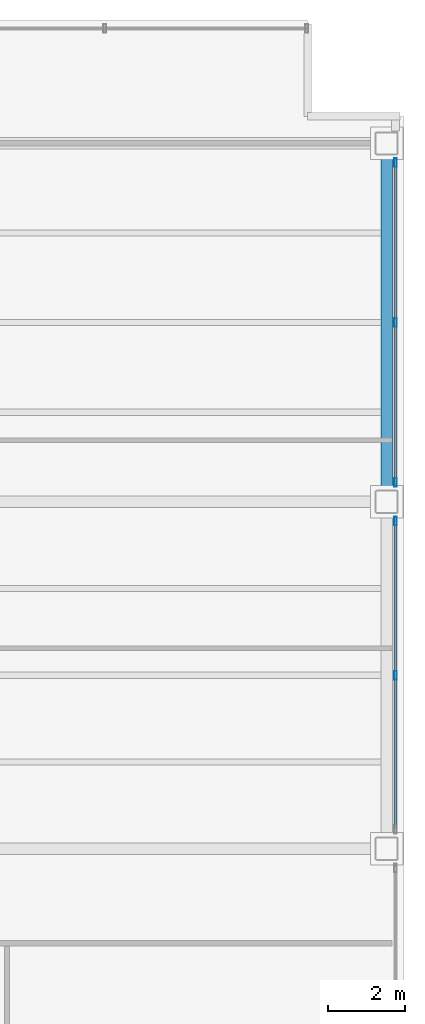
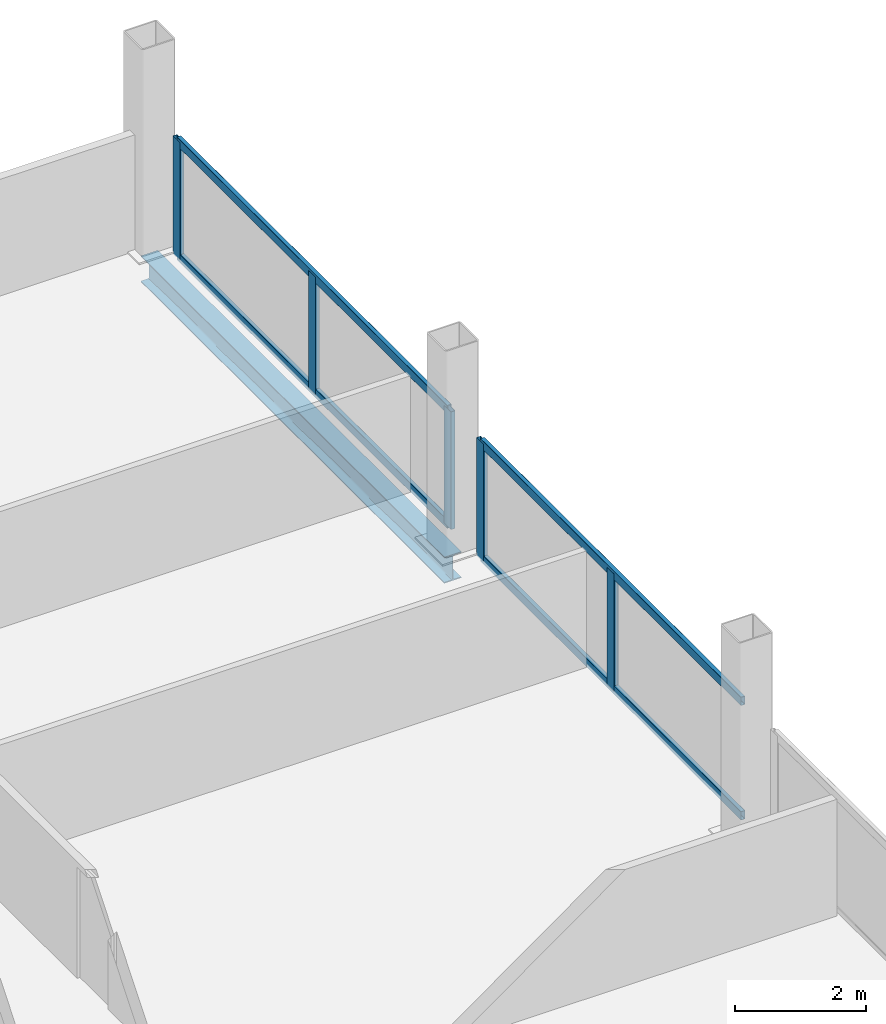
# One storey, part 13 of 21: 9 members, 1 beam, 2 elements without a shape of their own.
"""IFC4 building model written with IfcOpenShell, lengths in metres."""

from ifc_helpers import new_model, si_unit, direction, frame, origin, origin_2d, place, context, subcontext, project, spatial, hollow_rectangle, i_section, extrude, material, material_profile, profile_set, type_object, element, aggregate, save


model = new_model("IFC4")

# Units and contexts
model_context = context("Model", 3, precision=1e-05, world=origin(), true_north=direction((0.0, 1.0)))
body_context = subcontext(model_context, "Body", "Model", "MODEL_VIEW")
ifc_project = project(units=[si_unit("LENGTHUNIT", "METRE"), si_unit("AREAUNIT", "SQUARE_METRE"), si_unit("VOLUMEUNIT", "CUBIC_METRE"), si_unit("PLANEANGLEUNIT", "RADIAN"), si_unit("MASSUNIT", "GRAM", prefix="KILO")], contexts=[model_context])

# Site, building, storey
site_placement = place(None, origin())
site = spatial("IfcSite", under=ifc_project, at=site_placement, CompositionType="ELEMENT")
building_placement = place(site_placement, origin())
building = spatial("IfcBuilding", under=site, at=building_placement, Name="Noeulbin Bourse Tower", CompositionType="ELEMENT")
storey_placement = place(building_placement, frame((0.0, 0.0, 96.699951171875)))
storey = spatial("IfcBuildingStorey", under=building, at=storey_placement, Name="L24", CompositionType="ELEMENT", Elevation=96.699951171875)

# Beam
ifc_material_1 = material(Name="Steel S355", Category="steel")
ifc_material_profile_1 = material_profile(ifc_material_1, i_section(OverallWidth=0.300048828125, OverallDepth=0.488037109375, WebThickness=0.010986328125, FlangeThickness=0.01806640625, FilletRadius=0.02197265625, at=origin_2d()), Name="H-488x300x11x18", Category="LoadBearing")
ifc_profile_set_1 = profile_set([ifc_material_profile_1], Name="Steel S355")
beam_type = type_object("IfcBeamType", Name="BM-SPN-488", PredefinedType="SPANDREL", material=ifc_profile_set_1)
beam_placement = place(storey_placement, frame((57.050048828125, 29.0, -0.424072265625), z_axis=(0.0, 1.0, 0.0), x_axis=(-1.0, 0.0, 0.0)))
element("IfcBeam", 1, at=beam_placement, inside=storey, type_object=beam_type, Name="East Spandrel L24-2", PredefinedType="SPANDREL", context=body_context, shape_type="SweptSolid", body=[
    extrude(i_section(OverallWidth=0.300048828125, OverallDepth=0.488037109375, WebThickness=0.010986328125, FlangeThickness=0.01806640625, FilletRadius=0.02197265625, at=origin_2d()), origin(), (0.0, 0.0, 1.0), 9.300048828125),
])

# Curtain wall, members
ifc_material_2 = material(Name="Dark Solar-Control Double Glazing", Category="glass")
curtain_wall_type = type_object("IfcCurtainWallType", Name="CW-SYS-2", PredefinedType="NOTDEFINED", material=ifc_material_2)
curtain_wall_1_placement = place(storey_placement, origin())
curtain_wall_1 = element("IfcCurtainWall", 2, at=curtain_wall_1_placement, inside=storey, type_object=curtain_wall_type, Name="Unitised Curtain Wall CW-L24-E-S2", PredefinedType="NOTDEFINED")
ifc_material_3 = material(Name="Anodised Aluminium 6063-T6", Category="aluminium")
ifc_material_profile_2 = material_profile(ifc_material_3, hollow_rectangle(XDim=0.074951171875, YDim=0.219970703125, WallThickness=0.0048828125, InnerFilletRadius=0.00244140625, OuterFilletRadius=0.0048828125, at=origin_2d()), Name="ALU-MULL-75x220x5", Category="LoadBearing")
ifc_profile_set_2 = profile_set([ifc_material_profile_2], Name="Anodised Aluminium 6063-T6")
member_type_1 = type_object("IfcMemberType", Name="CW-SYS-2-MUL", PredefinedType="MULLION", material=ifc_profile_set_2)
member_1_placement = place(storey_placement, frame((57.280029296875, 24.5, -0.02001953125), z_axis=(0.0, 0.0, 1.0), x_axis=(1.0, 0.0, 0.0)))
member_1 = element("IfcMember", 3, at=member_1_placement, type_object=member_type_1, Name="Curtain Wall Mullion CW-L24-E-S2-M01", PredefinedType="MULLION", context=body_context, shape_type="SweptSolid", body=[
    extrude(hollow_rectangle(XDim=0.074951171875, YDim=0.219970703125, WallThickness=0.0048828125, InnerFilletRadius=0.00244140625, OuterFilletRadius=0.0048828125, at=origin_2d()), origin(), (0.0, 0.0, 1.0), 2.199951171875),
])
member_2_placement = place(storey_placement, frame((57.280029296875, 28.5, -0.02001953125), z_axis=(0.0, 0.0, 1.0), x_axis=(1.0, 0.0, 0.0)))
member_2 = element("IfcMember", 4, at=member_2_placement, type_object=member_type_1, Name="Curtain Wall Mullion CW-L24-E-S2-M02", PredefinedType="MULLION", context=body_context, shape_type="SweptSolid", body=[
    extrude(hollow_rectangle(XDim=0.074951171875, YDim=0.219970703125, WallThickness=0.0048828125, InnerFilletRadius=0.00244140625, OuterFilletRadius=0.0048828125, at=origin_2d()), origin(), (0.0, 0.0, 1.0), 2.199951171875),
])

curtain_wall_2_placement = place(storey_placement, origin())
curtain_wall_2 = element("IfcCurtainWall", 5, at=curtain_wall_2_placement, inside=storey, type_object=curtain_wall_type, Name="Unitised Curtain Wall CW-L24-E-S3", PredefinedType="NOTDEFINED")
member_3_placement = place(storey_placement, frame((57.280029296875, 29.5, -0.02001953125), z_axis=(0.0, 0.0, 1.0), x_axis=(1.0, 0.0, 0.0)))
member_3 = element("IfcMember", 6, at=member_3_placement, type_object=member_type_1, Name="Curtain Wall Mullion CW-L24-E-S3-M00", PredefinedType="MULLION", context=body_context, shape_type="SweptSolid", body=[
    extrude(hollow_rectangle(XDim=0.074951171875, YDim=0.219970703125, WallThickness=0.0048828125, InnerFilletRadius=0.00244140625, OuterFilletRadius=0.0048828125, at=origin_2d()), origin(), (0.0, 0.0, 1.0), 2.199951171875),
])
member_4_placement = place(storey_placement, frame((57.280029296875, 33.64990234375, -0.02001953125), z_axis=(0.0, 0.0, 1.0), x_axis=(1.0, 0.0, 0.0)))
member_4 = element("IfcMember", 7, at=member_4_placement, type_object=member_type_1, Name="Curtain Wall Mullion CW-L24-E-S3-M01", PredefinedType="MULLION", context=body_context, shape_type="SweptSolid", body=[
    extrude(hollow_rectangle(XDim=0.074951171875, YDim=0.219970703125, WallThickness=0.0048828125, InnerFilletRadius=0.00244140625, OuterFilletRadius=0.0048828125, at=origin_2d()), origin(), (0.0, 0.0, 1.0), 2.199951171875),
])
member_5_placement = place(storey_placement, frame((57.280029296875, 37.800048828125, -0.02001953125), z_axis=(0.0, 0.0, 1.0), x_axis=(1.0, 0.0, 0.0)))
member_5 = element("IfcMember", 8, at=member_5_placement, type_object=member_type_1, Name="Curtain Wall Mullion CW-L24-E-S3-M02", PredefinedType="MULLION", context=body_context, shape_type="SweptSolid", body=[
    extrude(hollow_rectangle(XDim=0.074951171875, YDim=0.219970703125, WallThickness=0.0048828125, InnerFilletRadius=0.00244140625, OuterFilletRadius=0.0048828125, at=origin_2d()), origin(), (0.0, 0.0, 1.0), 2.199951171875),
])

# Member
ifc_material_profile_3 = material_profile(ifc_material_3, hollow_rectangle(XDim=0.074951171875, YDim=0.159912109375, WallThickness=0.0048828125, InnerFilletRadius=0.00244140625, OuterFilletRadius=0.0048828125, at=origin_2d()), Name="ALU-TRAN-75x160x5", Category="LoadBearing")
ifc_profile_set_3 = profile_set([ifc_material_profile_3], Name="Anodised Aluminium 6063-T6")
member_type_2 = type_object("IfcMemberType", Name="CW-SYS-2-TRN", PredefinedType="USERDEFINED", material=ifc_profile_set_3)
member_6_placement = place(storey_placement, frame((57.280029296875, 20.510009765625, 0.010009765625), z_axis=(0.0, 1.0, 0.0), x_axis=(-1.0, 0.0, 0.0)))
member_6 = element("IfcMember", 9, at=member_6_placement, type_object=member_type_2, Name="Curtain Wall Transom CW-L24-E-S2-T00", ObjectType="TRANSOM", PredefinedType="USERDEFINED", context=body_context, shape_type="SweptSolid", body=[
    extrude(hollow_rectangle(XDim=0.074951171875, YDim=0.159912109375, WallThickness=0.0048828125, InnerFilletRadius=0.00244140625, OuterFilletRadius=0.0048828125, at=origin_2d()), origin(), (0.0, 0.0, 1.0), 7.97998046875),
])

member_7_placement = place(storey_placement, frame((57.280029296875, 20.510009765625, 2.150146484375), z_axis=(0.0, 1.0, 0.0), x_axis=(-1.0, 0.0, 0.0)))
member_7 = element("IfcMember", 10, at=member_7_placement, type_object=member_type_2, Name="Curtain Wall Transom CW-L24-E-S2-T01", ObjectType="TRANSOM", PredefinedType="USERDEFINED", context=body_context, shape_type="SweptSolid", body=[
    extrude(hollow_rectangle(XDim=0.074951171875, YDim=0.159912109375, WallThickness=0.0048828125, InnerFilletRadius=0.00244140625, OuterFilletRadius=0.0048828125, at=origin_2d()), origin(), (0.0, 0.0, 1.0), 7.97998046875),
])

aggregate(curtain_wall_1, [member_1, member_2, member_6, member_7])

member_8_placement = place(storey_placement, frame((57.280029296875, 29.510009765625, 0.010009765625), z_axis=(0.0, 1.0, 0.0), x_axis=(-1.0, 0.0, 0.0)))
member_8 = element("IfcMember", 11, at=member_8_placement, type_object=member_type_2, Name="Curtain Wall Transom CW-L24-E-S3-T00", ObjectType="TRANSOM", PredefinedType="USERDEFINED", context=body_context, shape_type="SweptSolid", body=[
    extrude(hollow_rectangle(XDim=0.074951171875, YDim=0.159912109375, WallThickness=0.0048828125, InnerFilletRadius=0.00244140625, OuterFilletRadius=0.0048828125, at=origin_2d()), origin(), (0.0, 0.0, 1.0), 8.280029296875),
])

member_9_placement = place(storey_placement, frame((57.280029296875, 29.510009765625, 2.150146484375), z_axis=(0.0, 1.0, 0.0), x_axis=(-1.0, 0.0, 0.0)))
member_9 = element("IfcMember", 12, at=member_9_placement, type_object=member_type_2, Name="Curtain Wall Transom CW-L24-E-S3-T01", ObjectType="TRANSOM", PredefinedType="USERDEFINED", context=body_context, shape_type="SweptSolid", body=[
    extrude(hollow_rectangle(XDim=0.074951171875, YDim=0.159912109375, WallThickness=0.0048828125, InnerFilletRadius=0.00244140625, OuterFilletRadius=0.0048828125, at=origin_2d()), origin(), (0.0, 0.0, 1.0), 8.280029296875),
])

aggregate(curtain_wall_2, [member_3, member_4, member_5, member_8, member_9])

save(model, "model.ifc")
